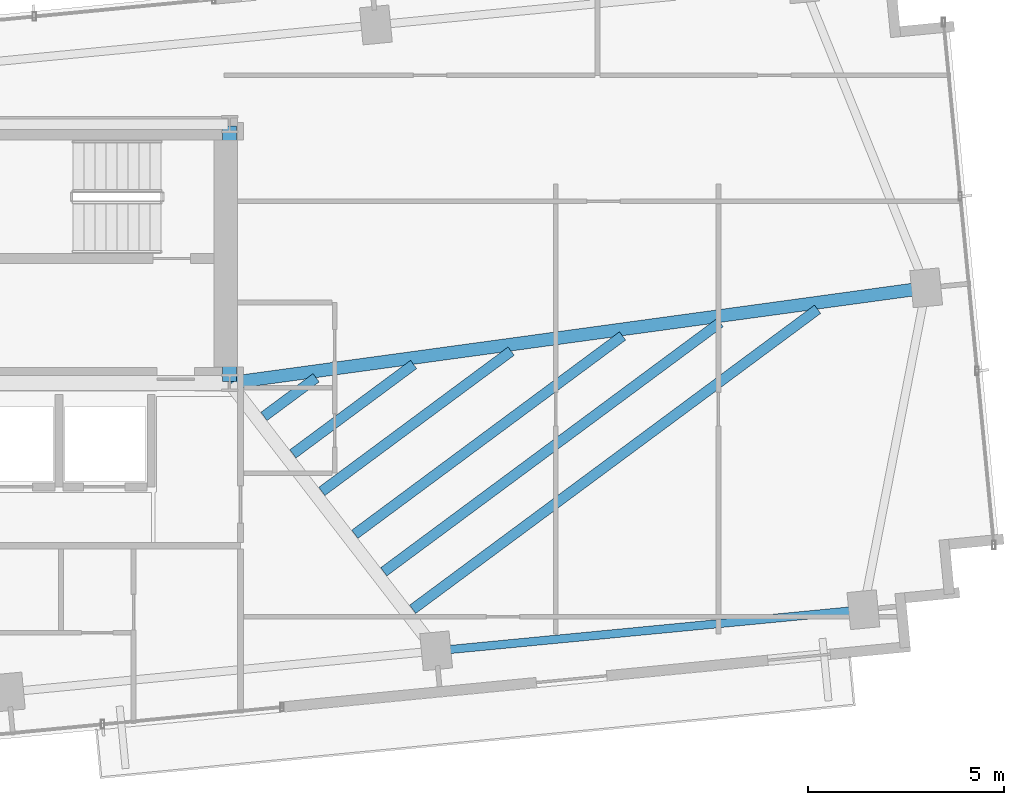
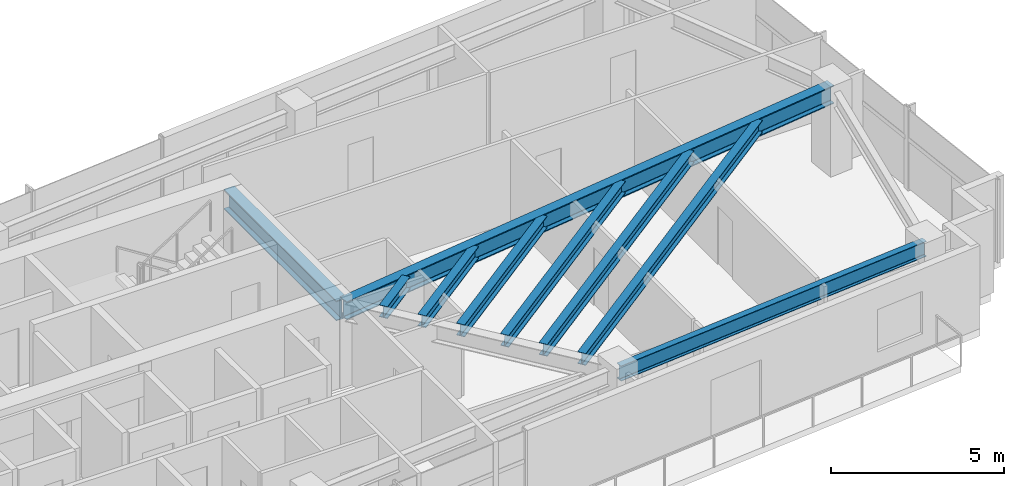
# One storey, part 9 of 18: 9 beams.
"""IFC4 building model written with IfcOpenShell, lengths in metres."""

from ifc_helpers import new_model, si_unit, direction, frame, origin, origin_2d, place, context, subcontext, project, spatial, i_section, extrude, source, transform, mapped, material, material_profile, profile_set, type_object, type_shapes, element, save


model = new_model("IFC4")

# Units and contexts
model_context = context("Model", 3, precision=1e-05, world=origin(), true_north=direction((0.0, 1.0)))
body_context = subcontext(model_context, "Body", "Model", "MODEL_VIEW")
ifc_project = project(units=[si_unit("LENGTHUNIT", "METRE"), si_unit("AREAUNIT", "SQUARE_METRE"), si_unit("VOLUMEUNIT", "CUBIC_METRE"), si_unit("PLANEANGLEUNIT", "RADIAN"), si_unit("MASSUNIT", "GRAM", prefix="KILO")], contexts=[model_context])

# Site, building, storey
site_placement = place(None, origin())
site = spatial("IfcSite", under=ifc_project, at=site_placement, CompositionType="ELEMENT")
building_placement = place(site_placement, origin())
building = spatial("IfcBuilding", under=site, at=building_placement, Name="Astriad Promenade Condominiums", CompositionType="ELEMENT")
storey_placement = place(building_placement, frame((0.0, 0.0, 182.60009765625)))
storey = spatial("IfcBuildingStorey", under=building, at=storey_placement, Name="L52", CompositionType="ELEMENT", Elevation=182.60009765625)

# Beams
ifc_material = material(Name="Steel ASTM A992 Grade 50", Category="steel")
ifc_material_profile_1 = material_profile(ifc_material, i_section(OverallWidth=0.35791015625, OverallDepth=0.706298828125, WebThickness=0.018310546875, FlangeThickness=0.0302734375, FilletRadius=0.020263671875, at=origin_2d()), Name="W27X178")
ifc_profile_set_1 = profile_set([ifc_material_profile_1], Name="Steel ASTM A992 Grade 50")
beam_type_1 = type_object("IfcBeamType", Name="STEEL FLOOR GIRDER W27X178", PredefinedType="BEAM", material=ifc_profile_set_1)
shared_shape_1 = source(origin(), body_context, "Body", "SweptSolid", [
    extrude(i_section(OverallWidth=0.35791015625, OverallDepth=0.706298828125, WebThickness=0.018310546875, FlangeThickness=0.0302734375, FilletRadius=0.020263671875, at=origin_2d()), origin(), (0.0, 0.0, 1.0), 6.52001953125),
])
type_shapes(beam_type_1, [shared_shape_1])
beam_1_placement = place(storey_placement, frame((45.60009765625, 17.43994140625, 2.586669921875), z_axis=(0.0, 1.0, 0.0), x_axis=(-1.0, 0.0, 0.0)))
element("IfcBeam", 1, at=beam_1_placement, inside=storey, type_object=beam_type_1, Name="Core Ring Beam CG-E1-L52", PredefinedType="BEAM", context=body_context, shape_type="MappedRepresentation", body=[
    mapped(shared_shape_1, transform((0.0, 0.0, 0.0), scale=1.0)),
])
ifc_material_profile_2 = material_profile(ifc_material, i_section(OverallWidth=0.210693359375, OverallDepth=0.53955078125, WebThickness=0.01171875, FlangeThickness=0.018798828125, FilletRadius=0.0166015625, at=origin_2d()), Name="W21X73")
ifc_profile_set_2 = profile_set([ifc_material_profile_2], Name="Steel ASTM A992 Grade 50")
beam_type_2 = type_object("IfcBeamType", Name="STEEL SPANDREL BEAM W21X73", PredefinedType="SPANDREL", material=ifc_profile_set_2)
shared_shape_2 = source(origin(), body_context, "Body", "SweptSolid", [
    extrude(i_section(OverallWidth=0.210693359375, OverallDepth=0.53955078125, WebThickness=0.01171875, FlangeThickness=0.018798828125, FilletRadius=0.0166015625, at=origin_2d()), origin(), (0.0, 0.0, 1.0), 10.869873046875),
])
type_shapes(beam_type_2, [shared_shape_2])
beam_2_placement = place(storey_placement, frame((50.908203125, 10.5703125, 2.670166015625), z_axis=(0.995396922692, 0.095838229819, 0.0), x_axis=(-0.095838229819, 0.995396922692, 0.0)))
element("IfcBeam", 2, at=beam_2_placement, inside=storey, type_object=beam_type_2, Name="Perimeter Spandrel Beam SP-S4-L52", PredefinedType="SPANDREL", context=body_context, shape_type="MappedRepresentation", body=[
    mapped(shared_shape_2, transform((0.0, 0.0, 0.0), scale=1.0)),
])
ifc_material_profile_3 = material_profile(ifc_material, i_section(OverallWidth=0.327392578125, OverallDepth=0.640625, WebThickness=0.01904296875, FlangeThickness=0.033935546875, FilletRadius=0.017822265625, at=origin_2d()), Name="W24X176")
ifc_profile_set_3 = profile_set([ifc_material_profile_3], Name="Steel ASTM A992 Grade 50")
beam_type_3 = type_object("IfcBeamType", Name="STEEL FLOOR GIRDER W24X176", PredefinedType="BEAM", material=ifc_profile_set_3)
shared_shape_3 = source(origin(), body_context, "Body", "SweptSolid", [
    extrude(i_section(OverallWidth=0.327392578125, OverallDepth=0.640625, WebThickness=0.01904296875, FlangeThickness=0.033935546875, FilletRadius=0.017822265625, at=origin_2d()), origin(), (0.0, 0.0, 1.0), 17.853271484375),
])
type_shapes(beam_type_3, [shared_shape_3])
beam_3_placement = place(storey_placement, frame((63.32861328125, 19.82177734375, 2.61962890625), z_axis=(-0.990799186345, -0.135340209612, 0.0), x_axis=(0.135340209612, -0.990799186345, 0.0)))
element("IfcBeam", 3, at=beam_3_placement, inside=storey, type_object=beam_type_3, Name="Primary Floor Girder PG-EM-L52", PredefinedType="BEAM", context=body_context, shape_type="MappedRepresentation", body=[
    mapped(shared_shape_3, transform((0.0, 0.0, 0.0), scale=1.0)),
])
ifc_material_profile_4 = material_profile(ifc_material, i_section(OverallWidth=0.26318359375, OverallDepth=0.425537109375, WebThickness=0.01318359375, FlangeThickness=0.022216796875, FilletRadius=0.013916015625, at=origin_2d()), Name="W16X89")
ifc_profile_set_4 = profile_set([ifc_material_profile_4], Name="Steel ASTM A992 Grade 50")
beam_type_4 = type_object("IfcBeamType", Name="STEEL FLOOR JOIST W16X89", PredefinedType="JOIST", material=ifc_profile_set_4)
shared_shape_4 = source(origin(), body_context, "Body", "SweptSolid", [
    extrude(i_section(OverallWidth=0.26318359375, OverallDepth=0.425537109375, WebThickness=0.01318359375, FlangeThickness=0.022216796875, FilletRadius=0.013916015625, at=origin_2d()), origin(), (0.0, 0.0, 1.0), 12.85498046875),
])
beam_4_placement = place(storey_placement, frame((50.27001953125, 11.626220703125, 2.72705078125), z_axis=(0.803505042716, 0.595297947526, 0.0), x_axis=(-0.595297947526, 0.803505042716, 0.0)))
element("IfcBeam", 4, at=beam_4_placement, inside=storey, type_object=beam_type_4, Name="Secondary Composite Floor Joist JE1-1-L52", PredefinedType="JOIST", context=body_context, shape_type="MappedRepresentation", body=[
    mapped(shared_shape_4, transform((0.0, 0.0, 0.0), scale=1.0)),
])
shared_shape_5 = source(origin(), body_context, "Body", "SweptSolid", [
    extrude(i_section(OverallWidth=0.26318359375, OverallDepth=0.425537109375, WebThickness=0.01318359375, FlangeThickness=0.022216796875, FilletRadius=0.013916015625, at=origin_2d()), origin(), (0.0, 0.0, 1.0), 10.677001953125),
])
beam_5_placement = place(storey_placement, frame((49.532470703125, 12.5830078125, 2.72705078125), z_axis=(0.803509393025, 0.595292075641, 0.0), x_axis=(-0.595292075641, 0.803509393025, 0.0)))
element("IfcBeam", 5, at=beam_5_placement, inside=storey, type_object=beam_type_4, Name="Secondary Composite Floor Joist JE1-2-L52", PredefinedType="JOIST", context=body_context, shape_type="MappedRepresentation", body=[
    mapped(shared_shape_5, transform((0.0, 0.0, 0.0), scale=1.0)),
])
shared_shape_6 = source(origin(), body_context, "Body", "SweptSolid", [
    extrude(i_section(OverallWidth=0.26318359375, OverallDepth=0.425537109375, WebThickness=0.01318359375, FlangeThickness=0.022216796875, FilletRadius=0.013916015625, at=origin_2d()), origin(), (0.0, 0.0, 1.0), 8.4990234375),
])
beam_6_placement = place(storey_placement, frame((48.794921875, 13.539794921875, 2.72705078125), z_axis=(0.803515972929, 0.595283194159, 0.0), x_axis=(-0.595283194159, 0.803515972929, 0.0)))
element("IfcBeam", 6, at=beam_6_placement, inside=storey, type_object=beam_type_4, Name="Secondary Composite Floor Joist JE1-3-L52", PredefinedType="JOIST", context=body_context, shape_type="MappedRepresentation", body=[
    mapped(shared_shape_6, transform((0.0, 0.0, 0.0), scale=1.0)),
])
shared_shape_7 = source(origin(), body_context, "Body", "SweptSolid", [
    extrude(i_section(OverallWidth=0.26318359375, OverallDepth=0.425537109375, WebThickness=0.01318359375, FlangeThickness=0.022216796875, FilletRadius=0.013916015625, at=origin_2d()), origin(), (0.0, 0.0, 1.0), 6.01025390625),
])
beam_7_placement = place(storey_placement, frame((47.951904296875, 14.633056640625, 2.72705078125), z_axis=(0.803510418138, 0.595290691968, 0.0), x_axis=(-0.595290691968, 0.803510418138, 0.0)))
element("IfcBeam", 7, at=beam_7_placement, inside=storey, type_object=beam_type_4, Name="Secondary Composite Floor Joist JE1-4-L52", PredefinedType="JOIST", context=body_context, shape_type="MappedRepresentation", body=[
    mapped(shared_shape_7, transform((0.0, 0.0, 0.0), scale=1.0)),
])
shared_shape_8 = source(origin(), body_context, "Body", "SweptSolid", [
    extrude(i_section(OverallWidth=0.26318359375, OverallDepth=0.425537109375, WebThickness=0.01318359375, FlangeThickness=0.022216796875, FilletRadius=0.013916015625, at=origin_2d()), origin(), (0.0, 0.0, 1.0), 3.832275390625),
])
beam_8_placement = place(storey_placement, frame((47.21435546875, 15.58984375, 2.72705078125), z_axis=(0.803525593062, 0.59527020864, 0.0), x_axis=(-0.59527020864, 0.803525593062, 0.0)))
element("IfcBeam", 8, at=beam_8_placement, inside=storey, type_object=beam_type_4, Name="Secondary Composite Floor Joist JE1-5-L52", PredefinedType="JOIST", context=body_context, shape_type="MappedRepresentation", body=[
    mapped(shared_shape_8, transform((0.0, 0.0, 0.0), scale=1.0)),
])
shared_shape_9 = source(origin(), body_context, "Body", "SweptSolid", [
    extrude(i_section(OverallWidth=0.26318359375, OverallDepth=0.425537109375, WebThickness=0.01318359375, FlangeThickness=0.022216796875, FilletRadius=0.013916015625, at=origin_2d()), origin(), (0.0, 0.0, 1.0), 1.654541015625),
])
type_shapes(beam_type_4, [shared_shape_4, shared_shape_5, shared_shape_6, shared_shape_7, shared_shape_8, shared_shape_9])
beam_9_placement = place(storey_placement, frame((46.476806640625, 16.54638671875, 2.72705078125), z_axis=(0.803510136239, 0.595291072468, 0.0), x_axis=(-0.595291072468, 0.803510136239, 0.0)))
element("IfcBeam", 9, at=beam_9_placement, inside=storey, type_object=beam_type_4, Name="Secondary Composite Floor Joist JE1-6-L52", PredefinedType="JOIST", context=body_context, shape_type="MappedRepresentation", body=[
    mapped(shared_shape_9, transform((0.0, 0.0, 0.0), scale=1.0)),
])

save(model, "model.ifc")
